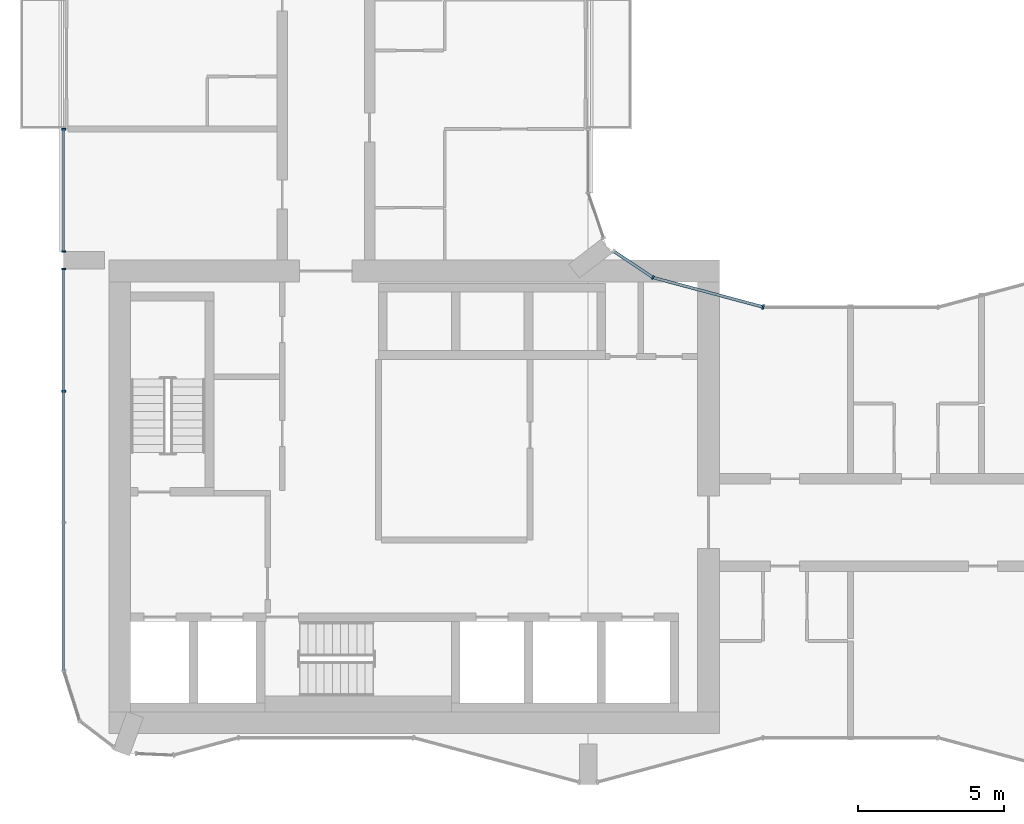
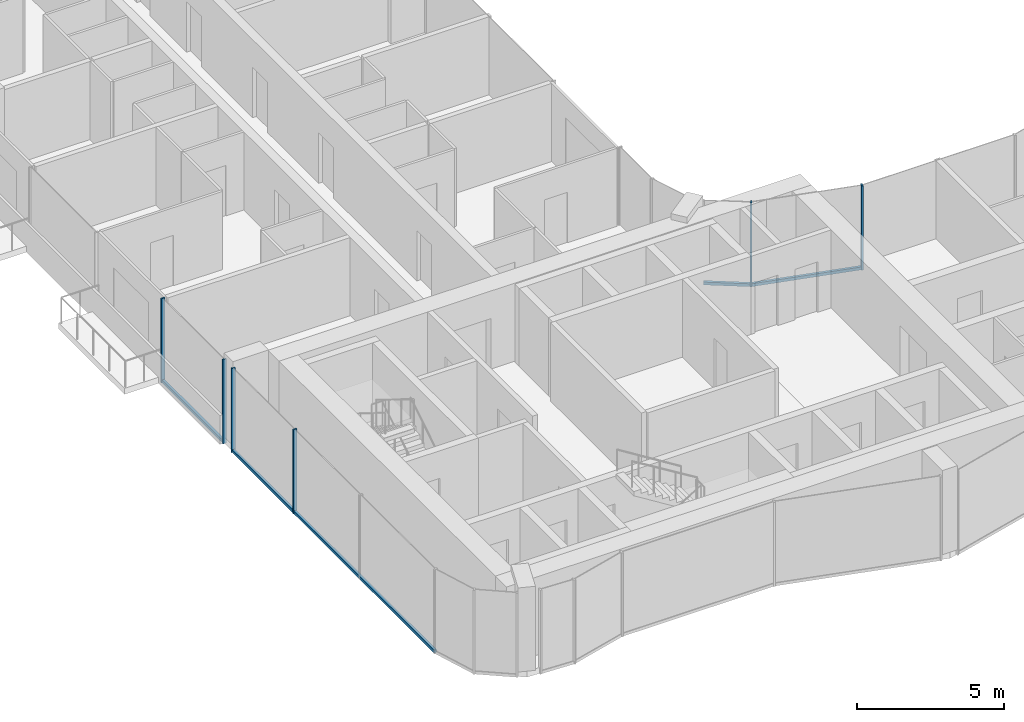
# One storey, part 3 of 22: 10 members, 4 elements without a shape of their own.
"""IFC4 building model written with IfcOpenShell, lengths in metres."""

from ifc_helpers import new_model, si_unit, direction, frame, origin, origin_2d, place, context, subcontext, project, spatial, rectangle, extrude, material, layer, layer_set, material_profile, profile_set, type_object, element, aggregate, save


model = new_model("IFC4")

# Units and contexts
model_context = context("Model", 3, precision=1e-05, world=origin(), true_north=direction((0.0, 1.0)))
body_context = subcontext(model_context, "Body", "Model", "MODEL_VIEW")
ifc_project = project(units=[si_unit("LENGTHUNIT", "METRE"), si_unit("AREAUNIT", "SQUARE_METRE"), si_unit("VOLUMEUNIT", "CUBIC_METRE"), si_unit("PLANEANGLEUNIT", "RADIAN"), si_unit("MASSUNIT", "GRAM", prefix="KILO")], contexts=[model_context])

# Site, building, storey
site_placement = place(None, origin())
site = spatial("IfcSite", under=ifc_project, at=site_placement, CompositionType="ELEMENT")
building_placement = place(site_placement, origin())
building = spatial("IfcBuilding", under=site, at=building_placement, Name="Plateau Cross Towers", CompositionType="ELEMENT")
storey_placement = place(building_placement, frame((0.0, 0.0, 54.800048828125)))
storey = spatial("IfcBuildingStorey", under=building, at=storey_placement, Name="L13", CompositionType="ELEMENT", Elevation=54.800048828125)

# Curtain wall, member
ifc_material_1 = material(Name="Dark low-iron glass", Category="glass")
ifc_layer_1 = layer(ifc_material_1, 0.239990234375)
ifc_layer_set_1 = layer_set([ifc_layer_1], Name="Dark low-iron glass")
curtain_wall_type_1 = type_object("IfcCurtainWallType", Name="Curtain wall flush unitised CW-B", PredefinedType="NOTDEFINED", material=ifc_layer_set_1)
curtain_wall_1_placement = place(storey_placement, origin())
curtain_wall_1 = element("IfcCurtainWall", 1, at=curtain_wall_1_placement, inside=storey, type_object=curtain_wall_type_1, Name="ENV/A/L13/A202_174", PredefinedType="NOTDEFINED")
ifc_material_2 = material(Name="Black anodised aluminium", Category="aluminium")
ifc_material_profile_1 = material_profile(ifc_material_2, rectangle(XDim=0.06005859375, YDim=0.139892578125, at=origin_2d()), Name="MULLION 60x140")
ifc_profile_set_1 = profile_set([ifc_material_profile_1], Name="Black anodised aluminium")
member_type_1 = type_object("IfcMemberType", Name="Mullion 60x140 flush unitised", PredefinedType="MULLION", material=ifc_profile_set_1)
member_1_placement = place(storey_placement, frame((20.223876953125, 17.404296875, -0.25), z_axis=(0.0, 0.0, 1.0), x_axis=(-0.831521253329, 0.555492938984, 0.0)))
member_1 = element("IfcMember", 2, at=member_1_placement, type_object=member_type_1, Name="CW-B mullion 1", PredefinedType="MULLION", context=body_context, shape_type="SweptSolid", body=[
    extrude(rectangle(XDim=0.06005859375, YDim=0.139892578125, at=origin_2d()), origin(), (0.0, 0.0, 1.0), 3.5),
])

# Curtain wall, members
curtain_wall_2_placement = place(storey_placement, origin())
curtain_wall_2 = element("IfcCurtainWall", 3, at=curtain_wall_2_placement, inside=storey, type_object=curtain_wall_type_1, Name="ENV/A/L13/A0_225", PredefinedType="NOTDEFINED")
member_2_placement = place(storey_placement, frame((0.0, 22.489990234375, -0.25), z_axis=(0.0, 0.0, 1.0), x_axis=(0.0, -1.0, 0.0)))
member_2 = element("IfcMember", 4, at=member_2_placement, type_object=member_type_1, Name="CW-B mullion 1", PredefinedType="MULLION", context=body_context, shape_type="SweptSolid", body=[
    extrude(rectangle(XDim=0.06005859375, YDim=0.139892578125, at=origin_2d()), origin(), (0.0, 0.0, 1.0), 3.5),
])
member_3_placement = place(storey_placement, frame((0.0, 18.300048828125, -0.25), z_axis=(0.0, 0.0, 1.0), x_axis=(0.0, -1.0, 0.0)))
member_3 = element("IfcMember", 5, at=member_3_placement, type_object=member_type_1, Name="CW-B mullion 2", PredefinedType="MULLION", context=body_context, shape_type="SweptSolid", body=[
    extrude(rectangle(XDim=0.06005859375, YDim=0.139892578125, at=origin_2d()), origin(), (0.0, 0.0, 1.0), 3.5),
])

curtain_wall_3_placement = place(storey_placement, origin())
curtain_wall_3 = element("IfcCurtainWall", 6, at=curtain_wall_3_placement, inside=storey, type_object=curtain_wall_type_1, Name="ENV/A/L13/A0_177", PredefinedType="NOTDEFINED")
member_4_placement = place(storey_placement, frame((0.0, 17.699951171875, -0.25), z_axis=(0.0, 0.0, 1.0), x_axis=(0.0, -1.0, 0.0)))
member_4 = element("IfcMember", 7, at=member_4_placement, type_object=member_type_1, Name="CW-B mullion 1", PredefinedType="MULLION", context=body_context, shape_type="SweptSolid", body=[
    extrude(rectangle(XDim=0.06005859375, YDim=0.139892578125, at=origin_2d()), origin(), (0.0, 0.0, 1.0), 3.5),
])
member_5_placement = place(storey_placement, frame((0.0, 13.5, -0.25), z_axis=(0.0, 0.0, 1.0), x_axis=(0.0, -1.0, 0.0)))
member_5 = element("IfcMember", 8, at=member_5_placement, type_object=member_type_1, Name="CW-B mullion 2", PredefinedType="MULLION", context=body_context, shape_type="SweptSolid", body=[
    extrude(rectangle(XDim=0.06005859375, YDim=0.139892578125, at=origin_2d()), origin(), (0.0, 0.0, 1.0), 3.5),
])

# Curtain wall, member
ifc_layer_2 = layer(ifc_material_1, 0.260009765625)
ifc_layer_set_2 = layer_set([ifc_layer_2], Name="Dark low-iron glass")
curtain_wall_type_2 = type_object("IfcCurtainWallType", Name="Curtain wall fluted unitised CW-A", PredefinedType="NOTDEFINED", material=ifc_layer_set_2)
curtain_wall_4_placement = place(storey_placement, origin())
curtain_wall_4 = element("IfcCurtainWall", 9, at=curtain_wall_4_placement, inside=storey, type_object=curtain_wall_type_2, Name="ENV/A/L13/A240_164", PredefinedType="NOTDEFINED")
ifc_material_profile_2 = material_profile(ifc_material_2, rectangle(XDim=0.06005859375, YDim=0.159912109375, at=origin_2d()), Name="MULLION 60x160")
ifc_profile_set_2 = profile_set([ifc_material_profile_2], Name="Black anodised aluminium")
member_type_2 = type_object("IfcMemberType", Name="Mullion 60x160 fluted unitised", PredefinedType="MULLION", material=ifc_profile_set_2)
member_6_placement = place(storey_placement, frame((24.0, 16.39306640625, -0.25), z_axis=(0.0, 0.0, 1.0), x_axis=(-0.965957995816, 0.258698956933, 0.0)))
member_6 = element("IfcMember", 10, at=member_6_placement, type_object=member_type_2, Name="CW-A mullion 1", PredefinedType="MULLION", context=body_context, shape_type="SweptSolid", body=[
    extrude(rectangle(XDim=0.06005859375, YDim=0.159912109375, at=origin_2d()), origin(), (0.0, 0.0, 1.0), 3.5),
])

# Member
ifc_material_profile_3 = material_profile(ifc_material_2, rectangle(XDim=0.10009765625, YDim=0.1201171875, at=origin_2d()), Name="TRANSOM 100x120")
ifc_profile_set_3 = profile_set([ifc_material_profile_3], Name="Black anodised aluminium")
member_type_3 = type_object("IfcMemberType", Name="Transom 100x120 flush unitised", PredefinedType="USERDEFINED", material=ifc_profile_set_3)
member_7_placement = place(storey_placement, frame((20.223876953125, 17.404296875, -0.18994140625), z_axis=(-0.831496402487, 0.555530136582, 0.0), x_axis=(-0.555530136582, -0.831496402487, 0.0)))
member_7 = element("IfcMember", 11, at=member_7_placement, type_object=member_type_3, Name="CW-B transom", ObjectType="TRANSOM", PredefinedType="USERDEFINED", context=body_context, shape_type="SweptSolid", body=[
    extrude(rectangle(XDim=0.10009765625, YDim=0.1201171875, at=origin_2d()), origin(), (0.0, 0.0, 1.0), 1.628662109375),
])

aggregate(curtain_wall_1, [member_1, member_7])

member_8_placement = place(storey_placement, frame((0.0, 22.489990234375, -0.18994140625), z_axis=(0.0, -1.0, 0.0), x_axis=(1.0, 0.0, 0.0)))
member_8 = element("IfcMember", 12, at=member_8_placement, type_object=member_type_3, Name="CW-B transom", ObjectType="TRANSOM", PredefinedType="USERDEFINED", context=body_context, shape_type="SweptSolid", body=[
    extrude(rectangle(XDim=0.10009765625, YDim=0.1201171875, at=origin_2d()), origin(), (0.0, 0.0, 1.0), 4.18994140625),
])

aggregate(curtain_wall_2, [member_2, member_3, member_8])

member_9_placement = place(storey_placement, frame((0.0, 17.699951171875, -0.18994140625), z_axis=(0.0, -1.0, 0.0), x_axis=(1.0, 0.0, 0.0)))
member_9 = element("IfcMember", 13, at=member_9_placement, type_object=member_type_3, Name="CW-B transom", ObjectType="TRANSOM", PredefinedType="USERDEFINED", context=body_context, shape_type="SweptSolid", body=[
    extrude(rectangle(XDim=0.10009765625, YDim=0.1201171875, at=origin_2d()), origin(), (0.0, 0.0, 1.0), 13.790771484375),
])

aggregate(curtain_wall_3, [member_4, member_5, member_9])

ifc_material_profile_4 = material_profile(ifc_material_2, rectangle(XDim=0.10009765625, YDim=0.1201171875, at=origin_2d()), Name="TRANSOM 100x120")
ifc_profile_set_4 = profile_set([ifc_material_profile_4], Name="Black anodised aluminium")
member_type_4 = type_object("IfcMemberType", Name="Transom 100x120 fluted unitised", PredefinedType="USERDEFINED", material=ifc_profile_set_4)
member_10_placement = place(storey_placement, frame((24.0, 16.39306640625, -0.18994140625), z_axis=(-0.965962822393, 0.25868093427, 0.0), x_axis=(-0.25868093427, -0.965962822393, 0.0)))
member_10 = element("IfcMember", 14, at=member_10_placement, type_object=member_type_4, Name="CW-A transom", ObjectType="TRANSOM", PredefinedType="USERDEFINED", context=body_context, shape_type="SweptSolid", body=[
    extrude(rectangle(XDim=0.10009765625, YDim=0.1201171875, at=origin_2d()), origin(), (0.0, 0.0, 1.0), 3.9091796875),
])

aggregate(curtain_wall_4, [member_6, member_10])

save(model, "model.ifc")
